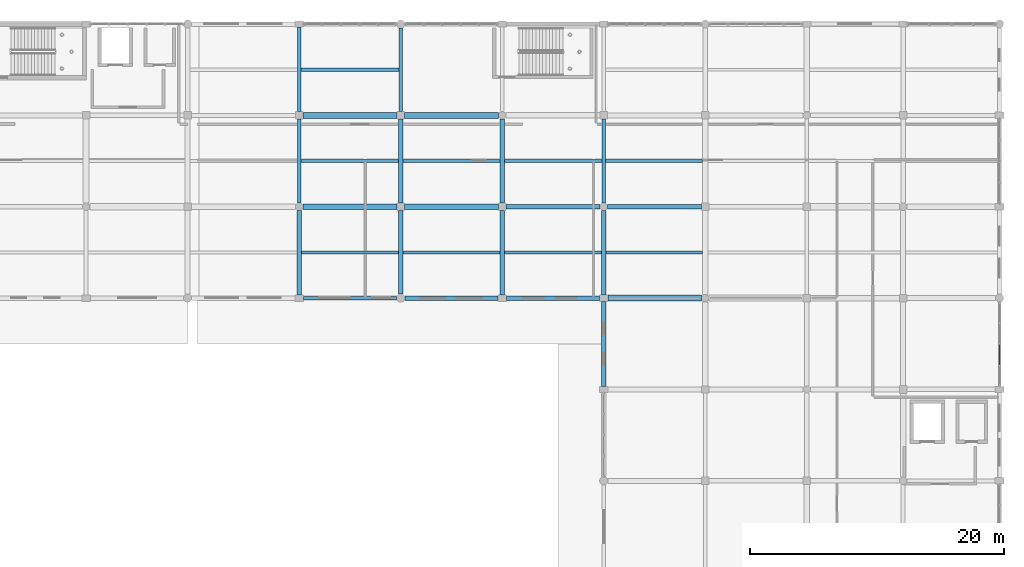
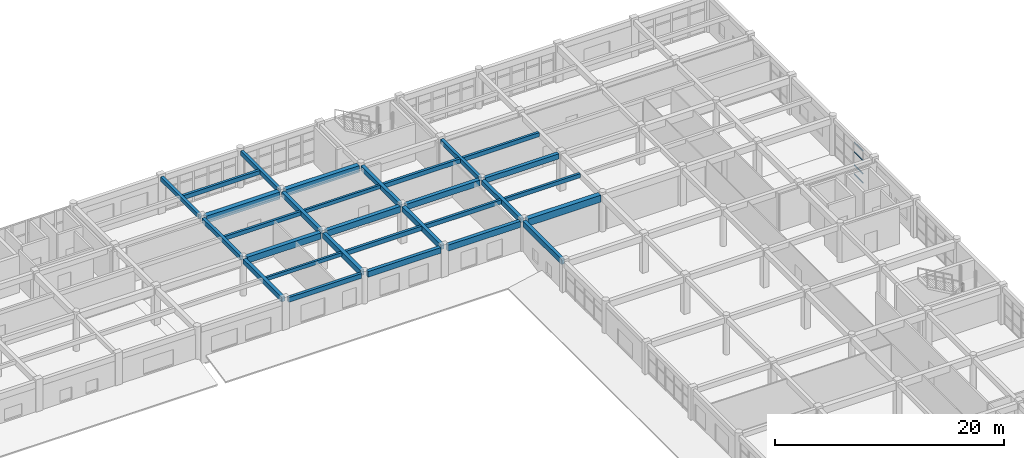
# One storey, part 82 of 121: 30 beams, 4 members, 1 element without a shape of its own.
"""IFC4 building model written with IfcOpenShell, lengths in metres."""

import ifcopenshell
import ifcopenshell.guid

model = None  # the IFC model being written
_history = None  # IfcOwnerHistory: only IFC2X3 demands one
_inside = {}  # id of a spatial element -> (the spatial element, [elements in it])
_under = {}  # id of a project, library or spatial element -> (it, [spatial elements below it])
_declared = {}  # id of a project -> (the project, [libraries it declares])
_typed = {}  # id of a type object -> (the type object, [elements of that type])
_made_of = {}  # id of a material, layer set ... -> (it, [elements and type objects made of it])


def new_model(schema):
    """Start an empty IFC model of exactly this schema.

    Asked for "IFC4X3", IfcOpenShell would pick the latest addendum, in which some entities
    have other attributes; the version numbers below select the first issue.
    IFC2X3 requires an IfcOwnerHistory on every rooted entity: one is made here for all.
    """
    global model, _history
    if schema == "IFC4X3":
        model = ifcopenshell.file(schema_version=(4, 3, 0, 0))
    else:
        model = ifcopenshell.file(schema=schema)
    _inside.clear()
    _under.clear()
    _declared.clear()
    _typed.clear()
    _made_of.clear()
    _history = None
    if model.schema == "IFC2X3":
        org = make("IfcOrganization", Name="unknown")
        user = make(
            "IfcPersonAndOrganization",
            ThePerson=make("IfcPerson", FamilyName="unknown"),
            TheOrganization=org,
        )
        app = make(
            "IfcApplication",
            ApplicationDeveloper=org,
            Version="unknown",
            ApplicationFullName="unknown",
            ApplicationIdentifier="unknown",
        )
        _history = make(
            "IfcOwnerHistory",
            OwningUser=user,
            OwningApplication=app,
            ChangeAction="ADDED",
            CreationDate=0,
        )
    return model


def make(cls, **values):
    """One entity of the class cls with the attributes given. An attribute that is None is left unset."""
    return model.create_entity(
        cls, **{name: value for name, value in values.items() if value is not None}
    )


def rooted(cls, **values):
    """An entity with a GlobalId (a new one), such as an element, a storey or a relation."""
    return make(cls, GlobalId=ifcopenshell.guid.new(), OwnerHistory=_history, **values)


def si_unit(unit_type, name, prefix=None):
    """IfcSIUnit, for example si_unit("LENGTHUNIT", "METRE", prefix="MILLI")."""
    return make("IfcSIUnit", UnitType=unit_type, Prefix=prefix, Name=name)


def assignment(units):
    """IfcUnitAssignment: the units of a project."""
    return None if units is None else make("IfcUnitAssignment", Units=units)


def point(xyz):
    """IfcCartesianPoint."""
    return None if xyz is None else make("IfcCartesianPoint", Coordinates=xyz)


def direction(xyz):
    """IfcDirection."""
    return None if xyz is None else make("IfcDirection", DirectionRatios=xyz)


def frame(location, z_axis=None, x_axis=None):
    """IfcAxis2Placement3D, a coordinate frame: its origin and axes. An axis left out is left unset."""
    return make(
        "IfcAxis2Placement3D",
        Location=point(location),
        Axis=direction(z_axis),
        RefDirection=direction(x_axis),
    )


def frame_2d(location, x_axis=None):
    """IfcAxis2Placement2D, a coordinate frame in the plane: its origin and x axis."""
    return make(
        "IfcAxis2Placement2D", Location=point(location), RefDirection=direction(x_axis)
    )


def origin():
    """The frame at (0, 0, 0) with its axes left unset."""
    return frame((0.0, 0.0, 0.0))


def origin_2d():
    """The frame at (0, 0) in the plane with its x axis left unset."""
    return frame_2d((0.0, 0.0))


def place(relative_to, where):
    """IfcLocalPlacement: puts the frame where relative to a parent placement (None: the world)."""
    return make(
        "IfcLocalPlacement", PlacementRelTo=relative_to, RelativePlacement=where
    )


def context(
    kind, dimensions, precision=None, world=None, true_north=None, identifier=None
):
    """IfcGeometricRepresentationContext, for example the 3D "Model" context."""
    return make(
        "IfcGeometricRepresentationContext",
        ContextIdentifier=identifier,
        ContextType=kind,
        CoordinateSpaceDimension=dimensions,
        Precision=precision,
        WorldCoordinateSystem=world,
        TrueNorth=true_north,
    )


def subcontext(parent, identifier, kind, view, scale=None):
    """IfcGeometricRepresentationSubContext, for example "Body" below "Model"."""
    return make(
        "IfcGeometricRepresentationSubContext",
        ContextIdentifier=identifier,
        ContextType=kind,
        ParentContext=parent,
        TargetScale=scale,
        TargetView=view,
    )


def project(units=None, contexts=None):
    """IfcProject with its units and contexts."""
    return rooted(
        "IfcProject",
        Name="project",
        RepresentationContexts=contexts,
        UnitsInContext=assignment(units),
    )


def spatial(cls, under=None, at=None, **own):
    """A site, building, storey or space (cls), placed at a placement, below another one or the project."""
    s = rooted(cls, ObjectPlacement=at, **own)
    if under is not None:
        _under.setdefault(under.id(), (under, []))[1].append(s)
    return s


def profile(cls, at=None, kind="AREA", **sizes):
    """A parametric profile (cls). Its sizes go by their IFC names, for example OverallWidth=200.0."""
    return make(cls, ProfileType=kind, Position=at, **sizes)


def rectangle(**sizes):
    """IfcRectangleProfileDef."""
    return profile("IfcRectangleProfileDef", **sizes)


def hollow_rectangle(**sizes):
    """IfcRectangleHollowProfileDef."""
    return profile("IfcRectangleHollowProfileDef", **sizes)


def extrude(swept, where, along, depth):
    """IfcExtrudedAreaSolid: the profile swept, set in the frame where, extruded along a direction by depth."""
    return make(
        "IfcExtrudedAreaSolid",
        SweptArea=swept,
        Position=where,
        ExtrudedDirection=direction(along),
        Depth=depth,
    )


def shape(context_of_items, identifier, shape_type, items):
    """IfcShapeRepresentation: the items that make up one representation, for example the "Body"."""
    return make(
        "IfcShapeRepresentation",
        ContextOfItems=context_of_items,
        RepresentationIdentifier=identifier,
        RepresentationType=shape_type,
        Items=items,
    )


def material(Name=None, Category=None):
    """IfcMaterial."""
    return make("IfcMaterial", Name=Name, Category=Category)


def material_profile(
    of_material, cross_section, Name=None, Category=None, Priority=None
):
    """IfcMaterialProfile: a cross section and its material."""
    return make(
        "IfcMaterialProfile",
        Name=Name,
        Material=of_material,
        Profile=cross_section,
        Priority=Priority,
        Category=Category,
    )


def profile_set(profiles, Name=None, composite=None):
    """IfcMaterialProfileSet."""
    return make(
        "IfcMaterialProfileSet",
        Name=Name,
        MaterialProfiles=profiles,
        CompositeProfile=composite,
    )


def made_of(thing, what):
    """Note that an element or type object is made of a material, layer set ...; save() writes the relation."""
    if what is not None:
        _made_of.setdefault(what.id(), (what, []))[1].append(thing)
    return thing


def type_object(cls, material=None, **own):
    """A type object (cls), such as IfcWallType, which elements share."""
    return made_of(rooted(cls, **own), material)


def element(
    cls,
    number,
    at=None,
    inside=None,
    cuts=None,
    type_object=None,
    material=None,
    context=None,
    identifier="Body",
    shape_type=None,
    held_by="IfcProductDefinitionShape",
    body=None,
    shapes=None,
    **own,
):
    """One element of the class cls, such as IfcWall. Its Tag is "e" and its number.

    at: its placement. inside: the storey or other place that contains it. cuts: it is an
    opening in that element (IfcRelVoidsElement). A single representation is given by context,
    identifier, shape_type and body (its items); several are given by shapes. held_by: the class
    of the entity that holds the representations. save() writes the other relations.
    """
    e = rooted(cls, Tag="e%d" % number, ObjectPlacement=at, **own)
    if body is not None:
        shapes = [shape(context, identifier, shape_type, body)]
    if shapes is not None:
        e.Representation = make(held_by, Representations=shapes)
    if inside is not None:
        _inside.setdefault(inside.id(), (inside, []))[1].append(e)
    if cuts is not None:
        rooted(
            "IfcRelVoidsElement", RelatingBuildingElement=cuts, RelatedOpeningElement=e
        )
    if type_object is not None:
        _typed.setdefault(type_object.id(), (type_object, []))[1].append(e)
    return made_of(e, material)


def aggregate(whole, parts):
    """IfcRelAggregates: a whole, such as a stair, and the parts it consists of."""
    return rooted("IfcRelAggregates", RelatingObject=whole, RelatedObjects=parts)


def save(model, path):
    """Write the relations noted so far, then the file.

    IfcRelAggregates (storeys below a building ...), IfcRelContainedInSpatialStructure (elements
    in a storey), IfcRelDefinesByType, IfcRelAssociatesMaterial and IfcRelDeclares: one each for
    every whole, place, type object, material and project.
    """
    for whole, parts in _under.values():
        aggregate(whole, parts)
    for where, things in _inside.values():
        rooted(
            "IfcRelContainedInSpatialStructure",
            RelatedElements=things,
            RelatingStructure=where,
        )
    for kind, things in _typed.values():
        rooted("IfcRelDefinesByType", RelatedObjects=things, RelatingType=kind)
    for what, things in _made_of.values():
        rooted("IfcRelAssociatesMaterial", RelatedObjects=things, RelatingMaterial=what)
    for by, libraries in _declared.values():
        rooted("IfcRelDeclares", RelatingContext=by, RelatedDefinitions=libraries)
    model.write(path)


model = new_model("IFC4")

# Units and contexts
model_context = context("Model", 3, precision=1e-05, world=origin(), true_north=direction((0.0, 1.0)))
body_context = subcontext(model_context, "Body", "Model", "MODEL_VIEW")
ifc_project = project(units=[si_unit("LENGTHUNIT", "METRE"), si_unit("AREAUNIT", "SQUARE_METRE"), si_unit("VOLUMEUNIT", "CUBIC_METRE"), si_unit("PLANEANGLEUNIT", "RADIAN"), si_unit("MASSUNIT", "GRAM", prefix="KILO")], contexts=[model_context])

# Site, building, storey
site_placement = place(None, origin())
site = spatial("IfcSite", under=ifc_project, at=site_placement, CompositionType="ELEMENT")
building_placement = place(site_placement, origin())
building = spatial("IfcBuilding", under=site, at=building_placement, Name="Kharva Crest Polytechnic", CompositionType="ELEMENT")
storey_placement = place(building_placement, frame((0.0, 0.0, 13.199951171875)))
storey = spatial("IfcBuildingStorey", under=building, at=storey_placement, Name="L03", CompositionType="ELEMENT", Elevation=13.199951171875)

# Beams
ifc_material_1 = material(Name="Concrete C35/45", Category="concrete")
ifc_material_profile_1 = material_profile(ifc_material_1, rectangle(XDim=0.300048828125, YDim=0.449951171875, at=origin_2d()), Name="RECT 300 X 450")
ifc_profile_set_1 = profile_set([ifc_material_profile_1], Name="Concrete C35/45")
beam_type_1 = type_object("IfcBeamType", Name="BM-RC-300X450", PredefinedType="BEAM", material=ifc_profile_set_1)
beam_1_placement = place(storey_placement, frame((128.800048828125, 115.10009765625, 3.735107421875), z_axis=(0.0, 1.0, 0.0), x_axis=(-1.0, 0.0, 0.0)))
element("IfcBeam", 1, at=beam_1_placement, inside=storey, type_object=beam_type_1, Name="L03 Girder 17/R-S", PredefinedType="BEAM", context=body_context, shape_type="SweptSolid", body=[
    extrude(rectangle(XDim=0.300048828125, YDim=0.449951171875, at=origin_2d()), origin(), (0.0, 0.0, 1.0), 6.64990234375),
])
ifc_material_profile_2 = material_profile(ifc_material_1, rectangle(XDim=0.300048828125, YDim=0.47998046875, at=origin_2d()), Name="RECT 300 X 480")
ifc_profile_set_2 = profile_set([ifc_material_profile_2], Name="Concrete C35/45")
beam_type_2 = type_object("IfcBeamType", Name="BM-RC-300X480", PredefinedType="BEAM", material=ifc_profile_set_2)
beam_2_placement = place(storey_placement, frame((128.800048828125, 107.889892578125, 3.719970703125), z_axis=(0.0, 1.0, 0.0), x_axis=(-1.0, 0.0, 0.0)))
element("IfcBeam", 2, at=beam_2_placement, inside=storey, type_object=beam_type_2, Name="L03 Girder 17/Q-R", PredefinedType="BEAM", context=body_context, shape_type="SweptSolid", body=[
    extrude(rectangle(XDim=0.300048828125, YDim=0.47998046875, at=origin_2d()), origin(), (0.0, 0.0, 1.0), 6.610107421875),
])
beam_3_placement = place(storey_placement, frame((136.800048828125, 115.090087890625, 3.719970703125), z_axis=(0.0, 1.0, 0.0), x_axis=(-1.0, 0.0, 0.0)))
element("IfcBeam", 3, at=beam_3_placement, inside=storey, type_object=beam_type_2, Name="L03 Girder 18/R-S", PredefinedType="BEAM", context=body_context, shape_type="SweptSolid", body=[
    extrude(rectangle(XDim=0.300048828125, YDim=0.47998046875, at=origin_2d()), origin(), (0.0, 0.0, 1.0), 6.58984375),
])
beam_4_placement = place(storey_placement, frame((152.800048828125, 107.889892578125, 3.719970703125), z_axis=(0.0, 1.0, 0.0), x_axis=(-1.0, 0.0, 0.0)))
element("IfcBeam", 4, at=beam_4_placement, inside=storey, type_object=beam_type_2, Name="L03 Girder 20/Q-R", PredefinedType="BEAM", context=body_context, shape_type="SweptSolid", body=[
    extrude(rectangle(XDim=0.300048828125, YDim=0.47998046875, at=origin_2d()), origin(), (0.0, 0.0, 1.0), 6.610107421875),
])
ifc_material_profile_3 = material_profile(ifc_material_1, rectangle(XDim=0.340087890625, YDim=0.52001953125, at=origin_2d()), Name="RECT 340 X 520")
ifc_profile_set_3 = profile_set([ifc_material_profile_3], Name="Concrete C35/45")
beam_type_3 = type_object("IfcBeamType", Name="BM-RC-340X520", PredefinedType="BEAM", material=ifc_profile_set_3)
beam_5_placement = place(storey_placement, frame((128.800048828125, 100.64990234375, 3.699951171875), z_axis=(0.0, 1.0, 0.0), x_axis=(-1.0, 0.0, 0.0)))
element("IfcBeam", 5, at=beam_5_placement, inside=storey, type_object=beam_type_3, Name="L03 Girder 17/P-Q", PredefinedType="BEAM", context=body_context, shape_type="SweptSolid", body=[
    extrude(rectangle(XDim=0.340087890625, YDim=0.52001953125, at=origin_2d()), origin(), (0.0, 0.0, 1.0), 6.66015625),
])
beam_6_placement = place(storey_placement, frame((136.800048828125, 107.89990234375, 3.699951171875), z_axis=(0.0, 1.0, 0.0), x_axis=(-1.0, 0.0, 0.0)))
element("IfcBeam", 6, at=beam_6_placement, inside=storey, type_object=beam_type_3, Name="L03 Girder 18/Q-R", PredefinedType="BEAM", context=body_context, shape_type="SweptSolid", body=[
    extrude(rectangle(XDim=0.340087890625, YDim=0.52001953125, at=origin_2d()), origin(), (0.0, 0.0, 1.0), 6.610107421875),
])
beam_7_placement = place(storey_placement, frame((144.800048828125, 107.889892578125, 3.699951171875), z_axis=(0.0, 1.0, 0.0), x_axis=(-1.0, 0.0, 0.0)))
element("IfcBeam", 7, at=beam_7_placement, inside=storey, type_object=beam_type_3, Name="L03 Girder 19/Q-R", PredefinedType="BEAM", context=body_context, shape_type="SweptSolid", body=[
    extrude(rectangle(XDim=0.340087890625, YDim=0.52001953125, at=origin_2d()), origin(), (0.0, 0.0, 1.0), 6.6201171875),
])
beam_8_placement = place(storey_placement, frame((152.800048828125, 100.64990234375, 3.699951171875), z_axis=(0.0, 1.0, 0.0), x_axis=(-1.0, 0.0, 0.0)))
element("IfcBeam", 8, at=beam_8_placement, inside=storey, type_object=beam_type_3, Name="L03 Girder 20/P-Q", PredefinedType="BEAM", context=body_context, shape_type="SweptSolid", body=[
    extrude(rectangle(XDim=0.340087890625, YDim=0.52001953125, at=origin_2d()), origin(), (0.0, 0.0, 1.0), 6.66015625),
])
ifc_material_profile_4 = material_profile(ifc_material_1, rectangle(XDim=0.35009765625, YDim=0.550048828125, at=origin_2d()), Name="RECT 350 X 550")
ifc_profile_set_4 = profile_set([ifc_material_profile_4], Name="Concrete C35/45")
beam_type_4 = type_object("IfcBeamType", Name="BM-RC-350X550", PredefinedType="BEAM", material=ifc_profile_set_4)
beam_9_placement = place(storey_placement, frame((153.090087890625, 107.60009765625, 3.68505859375), z_axis=(1.0, 0.0, 0.0), x_axis=(0.0, 1.0, 0.0)))
element("IfcBeam", 9, at=beam_9_placement, inside=storey, type_object=beam_type_4, Name="L03 Beam Q/20-21", PredefinedType="BEAM", context=body_context, shape_type="SweptSolid", body=[
    extrude(rectangle(XDim=0.35009765625, YDim=0.550048828125, at=origin_2d()), origin(), (0.0, 0.0, 1.0), 7.409912109375),
])
ifc_material_profile_5 = material_profile(ifc_material_1, rectangle(XDim=0.360107421875, YDim=0.580078125, at=origin_2d()), Name="RECT 360 X 580")
ifc_profile_set_5 = profile_set([ifc_material_profile_5], Name="Concrete C35/45")
beam_type_5 = type_object("IfcBeamType", Name="BM-RC-360X580", PredefinedType="BEAM", material=ifc_profile_set_5)
beam_10_placement = place(storey_placement, frame((136.800048828125, 100.719970703125, 3.670166015625), z_axis=(0.0, 1.0, 0.0), x_axis=(-1.0, 0.0, 0.0)))
element("IfcBeam", 10, at=beam_10_placement, inside=storey, type_object=beam_type_5, Name="L03 Girder 18/P-Q", PredefinedType="BEAM", context=body_context, shape_type="SweptSolid", body=[
    extrude(rectangle(XDim=0.360107421875, YDim=0.580078125, at=origin_2d()), origin(), (0.0, 0.0, 1.0), 6.580078125),
])
beam_11_placement = place(storey_placement, frame((144.800048828125, 100.64990234375, 3.670166015625), z_axis=(0.0, 1.0, 0.0), x_axis=(-1.0, 0.0, 0.0)))
element("IfcBeam", 11, at=beam_11_placement, inside=storey, type_object=beam_type_5, Name="L03 Girder 19/P-Q", PredefinedType="BEAM", context=body_context, shape_type="SweptSolid", body=[
    extrude(rectangle(XDim=0.360107421875, YDim=0.580078125, at=origin_2d()), origin(), (0.0, 0.0, 1.0), 6.66015625),
])
ifc_material_profile_6 = material_profile(ifc_material_1, rectangle(XDim=0.3798828125, YDim=0.60009765625, at=origin_2d()), Name="RECT 380 X 600")
ifc_profile_set_6 = profile_set([ifc_material_profile_6], Name="Concrete C35/45")
beam_type_6 = type_object("IfcBeamType", Name="BM-RC-380X600", PredefinedType="BEAM", material=ifc_profile_set_6)
beam_12_placement = place(storey_placement, frame((145.090087890625, 107.60009765625, 3.66015625), z_axis=(1.0, 0.0, 0.0), x_axis=(0.0, 1.0, 0.0)))
element("IfcBeam", 12, at=beam_12_placement, inside=storey, type_object=beam_type_6, Name="L03 Beam Q/19-20", PredefinedType="BEAM", context=body_context, shape_type="SweptSolid", body=[
    extrude(rectangle(XDim=0.3798828125, YDim=0.60009765625, at=origin_2d()), origin(), (0.0, 0.0, 1.0), 7.419921875),
])
ifc_material_profile_7 = material_profile(ifc_material_1, rectangle(XDim=0.39990234375, YDim=0.64990234375, at=origin_2d()), Name="RECT 400 X 650")
ifc_profile_set_7 = profile_set([ifc_material_profile_7], Name="Concrete C35/45")
beam_type_7 = type_object("IfcBeamType", Name="BM-RC-400X650", PredefinedType="BEAM", material=ifc_profile_set_7)
beam_13_placement = place(storey_placement, frame((137.10009765625, 107.60009765625, 3.635009765625), z_axis=(1.0, 0.0, 0.0), x_axis=(0.0, 1.0, 0.0)))
element("IfcBeam", 13, at=beam_13_placement, inside=storey, type_object=beam_type_7, Name="L03 Beam Q/18-19", PredefinedType="BEAM", context=body_context, shape_type="SweptSolid", body=[
    extrude(rectangle(XDim=0.39990234375, YDim=0.64990234375, at=origin_2d()), origin(), (0.0, 0.0, 1.0), 7.409912109375),
])
ifc_material_profile_8 = material_profile(ifc_material_1, rectangle(XDim=0.419921875, YDim=0.659912109375, at=origin_2d()), Name="RECT 420 X 660")
ifc_profile_set_8 = profile_set([ifc_material_profile_8], Name="Concrete C35/45")
beam_type_8 = type_object("IfcBeamType", Name="BM-RC-420X660", PredefinedType="BEAM", material=ifc_profile_set_8)
beam_14_placement = place(storey_placement, frame((129.090087890625, 107.60009765625, 3.630126953125), z_axis=(1.0, 0.0, 0.0), x_axis=(0.0, 1.0, 0.0)))
element("IfcBeam", 14, at=beam_14_placement, inside=storey, type_object=beam_type_8, Name="L03 Beam Q/17-18", PredefinedType="BEAM", context=body_context, shape_type="SweptSolid", body=[
    extrude(rectangle(XDim=0.419921875, YDim=0.659912109375, at=origin_2d()), origin(), (0.0, 0.0, 1.0), 7.409912109375),
])
ifc_material_profile_9 = material_profile(ifc_material_1, rectangle(XDim=0.449951171875, YDim=0.719970703125, at=origin_2d()), Name="RECT 450 X 720")
ifc_profile_set_9 = profile_set([ifc_material_profile_9], Name="Concrete C35/45")
beam_type_9 = type_object("IfcBeamType", Name="BM-RC-450X720", PredefinedType="BEAM", material=ifc_profile_set_9)
beam_15_placement = place(storey_placement, frame((137.090087890625, 114.800048828125, 3.60009765625), z_axis=(1.0, 0.0, 0.0), x_axis=(0.0, 1.0, 0.0)))
element("IfcBeam", 15, at=beam_15_placement, inside=storey, type_object=beam_type_9, Name="L03 Beam R/18-19", PredefinedType="BEAM", context=body_context, shape_type="SweptSolid", body=[
    extrude(rectangle(XDim=0.449951171875, YDim=0.719970703125, at=origin_2d()), origin(), (0.0, 0.0, 1.0), 7.419921875),
])
ifc_material_profile_10 = material_profile(ifc_material_1, rectangle(XDim=0.47998046875, YDim=0.75, at=origin_2d()), Name="RECT 480 X 750")
ifc_profile_set_10 = profile_set([ifc_material_profile_10], Name="Concrete C35/45")
beam_type_10 = type_object("IfcBeamType", Name="BM-RC-480X750", PredefinedType="BEAM", material=ifc_profile_set_10)
beam_16_placement = place(storey_placement, frame((153.139892578125, 100.39990234375, 3.5849609375), z_axis=(1.0, 0.0, 0.0), x_axis=(0.0, 1.0, 0.0)))
element("IfcBeam", 16, at=beam_16_placement, inside=storey, type_object=beam_type_10, Name="L03 Beam P/20-21", PredefinedType="BEAM", context=body_context, shape_type="SweptSolid", body=[
    extrude(rectangle(XDim=0.47998046875, YDim=0.75, at=origin_2d()), origin(), (0.0, 0.0, 1.0), 7.3701171875),
])
beam_17_placement = place(storey_placement, frame((129.10009765625, 114.800048828125, 3.5849609375), z_axis=(1.0, 0.0, 0.0), x_axis=(0.0, 1.0, 0.0)))
element("IfcBeam", 17, at=beam_17_placement, inside=storey, type_object=beam_type_10, Name="L03 Beam R/17-18", PredefinedType="BEAM", context=body_context, shape_type="SweptSolid", body=[
    extrude(rectangle(XDim=0.47998046875, YDim=0.75, at=origin_2d()), origin(), (0.0, 0.0, 1.0), 7.409912109375),
])

# Curtain wall, members
ifc_material_2 = material(Name="Tempered insulated glass", Category="glass")
curtain_wall_type = type_object("IfcCurtainWallType", Name="CW-SYS-COURT", PredefinedType="USERDEFINED", material=ifc_material_2)
curtain_wall_placement = place(storey_placement, origin())
curtain_wall = element("IfcCurtainWall", 18, at=curtain_wall_placement, inside=storey, type_object=curtain_wall_type, Name="L03 Glazed Curtain Wall CW-152", ObjectType="CURTAIN WALL", PredefinedType="USERDEFINED")
ifc_material_3 = material(Name="Steel S355", Category="steel")
ifc_material_profile_11 = material_profile(ifc_material_3, hollow_rectangle(XDim=0.06005859375, YDim=0.1201171875, WallThickness=0.00390625, at=origin_2d()), Name="RHS 120X60X4.0")
ifc_profile_set_11 = profile_set([ifc_material_profile_11], Name="Steel S355")
member_type = type_object("IfcMemberType", Name="CWT-RHS120X60", PredefinedType="USERDEFINED", material=ifc_profile_set_11)
member_1_placement = place(storey_placement, frame((184.0, 95.14990234375, 0.06005859375), z_axis=(0.0, 1.0, 0.0), x_axis=(-1.0, 0.0, 0.0)))
member_1 = element("IfcMember", 19, at=member_1_placement, type_object=member_type, Name="CW-152 transom 2.1", ObjectType="TRANSOM", PredefinedType="USERDEFINED", context=body_context, shape_type="SweptSolid", body=[
    extrude(hollow_rectangle(XDim=0.06005859375, YDim=0.1201171875, WallThickness=0.00390625, at=origin_2d()), origin(), (0.0, 0.0, 1.0), 1.5751953125),
])
member_2_placement = place(storey_placement, frame((184.0, 95.14990234375, 1.050048828125), z_axis=(0.0, 1.0, 0.0), x_axis=(-1.0, 0.0, 0.0)))
member_2 = element("IfcMember", 20, at=member_2_placement, type_object=member_type, Name="CW-152 transom 2.2", ObjectType="TRANSOM", PredefinedType="USERDEFINED", context=body_context, shape_type="SweptSolid", body=[
    extrude(hollow_rectangle(XDim=0.06005859375, YDim=0.1201171875, WallThickness=0.00390625, at=origin_2d()), origin(), (0.0, 0.0, 1.0), 1.5751953125),
])
member_3_placement = place(storey_placement, frame((184.0, 95.14990234375, 2.449951171875), z_axis=(0.0, 1.0, 0.0), x_axis=(-1.0, 0.0, 0.0)))
member_3 = element("IfcMember", 21, at=member_3_placement, type_object=member_type, Name="CW-152 transom 2.3", ObjectType="TRANSOM", PredefinedType="USERDEFINED", context=body_context, shape_type="SweptSolid", body=[
    extrude(hollow_rectangle(XDim=0.06005859375, YDim=0.1201171875, WallThickness=0.00390625, at=origin_2d()), origin(), (0.0, 0.0, 1.0), 1.5751953125),
])
member_4_placement = place(storey_placement, frame((184.0, 95.14990234375, 3.4599609375), z_axis=(0.0, 1.0, 0.0), x_axis=(-1.0, 0.0, 0.0)))
member_4 = element("IfcMember", 22, at=member_4_placement, type_object=member_type, Name="CW-152 transom 2.4", ObjectType="TRANSOM", PredefinedType="USERDEFINED", context=body_context, shape_type="SweptSolid", body=[
    extrude(hollow_rectangle(XDim=0.06005859375, YDim=0.1201171875, WallThickness=0.00390625, at=origin_2d()), origin(), (0.0, 0.0, 1.0), 1.5751953125),
])
aggregate(curtain_wall, [member_1, member_2, member_3, member_4])

# Beams
ifc_material_profile_12 = material_profile(ifc_material_1, rectangle(XDim=0.219970703125, YDim=0.3798828125, at=origin_2d()), Name="RECT 220 X 380")
ifc_profile_set_12 = profile_set([ifc_material_profile_12], Name="Concrete C35/45")
beam_type_11 = type_object("IfcBeamType", Name="JS-RC-220X380", PredefinedType="JOIST", material=ifc_profile_set_12)
beam_18_placement = place(storey_placement, frame((128.969970703125, 104.0, 3.77001953125), z_axis=(1.0, 0.0, 0.0), x_axis=(0.0, 1.0, 0.0)))
element("IfcBeam", 23, at=beam_18_placement, inside=storey, type_object=beam_type_11, Name="L03 Floor Joist 27", PredefinedType="JOIST", context=body_context, shape_type="SweptSolid", body=[
    extrude(rectangle(XDim=0.219970703125, YDim=0.3798828125, at=origin_2d()), origin(), (0.0, 0.0, 1.0), 7.650146484375),
])
beam_19_placement = place(storey_placement, frame((136.969970703125, 111.199951171875, 3.77001953125), z_axis=(1.0, 0.0, 0.0), x_axis=(0.0, 1.0, 0.0)))
element("IfcBeam", 24, at=beam_19_placement, inside=storey, type_object=beam_type_11, Name="L03 Floor Joist 47", PredefinedType="JOIST", context=body_context, shape_type="SweptSolid", body=[
    extrude(rectangle(XDim=0.219970703125, YDim=0.3798828125, at=origin_2d()), origin(), (0.0, 0.0, 1.0), 7.659912109375),
])
ifc_material_profile_13 = material_profile(ifc_material_1, rectangle(XDim=0.239990234375, YDim=0.419921875, at=origin_2d()), Name="RECT 240 X 420")
ifc_profile_set_13 = profile_set([ifc_material_profile_13], Name="Concrete C35/45")
beam_type_12 = type_object("IfcBeamType", Name="JS-RC-240X420", PredefinedType="JOIST", material=ifc_profile_set_13)
beam_20_placement = place(storey_placement, frame((152.969970703125, 104.0, 3.75), z_axis=(1.0, 0.0, 0.0), x_axis=(0.0, 1.0, 0.0)))
element("IfcBeam", 25, at=beam_20_placement, inside=storey, type_object=beam_type_12, Name="L03 Floor Joist 30", PredefinedType="JOIST", context=body_context, shape_type="SweptSolid", body=[
    extrude(rectangle(XDim=0.239990234375, YDim=0.419921875, at=origin_2d()), origin(), (0.0, 0.0, 1.0), 7.630126953125),
])
beam_21_placement = place(storey_placement, frame((128.949951171875, 111.199951171875, 3.75), z_axis=(1.0, 0.0, 0.0), x_axis=(0.0, 1.0, 0.0)))
element("IfcBeam", 26, at=beam_21_placement, inside=storey, type_object=beam_type_12, Name="L03 Floor Joist 46", PredefinedType="JOIST", context=body_context, shape_type="SweptSolid", body=[
    extrude(rectangle(XDim=0.239990234375, YDim=0.419921875, at=origin_2d()), origin(), (0.0, 0.0, 1.0), 7.679931640625),
])
ifc_material_profile_14 = material_profile(ifc_material_1, rectangle(XDim=0.25, YDim=0.43994140625, at=origin_2d()), Name="RECT 250 X 440")
ifc_profile_set_14 = profile_set([ifc_material_profile_14], Name="Concrete C35/45")
beam_type_13 = type_object("IfcBeamType", Name="JS-RC-250X440", PredefinedType="JOIST", material=ifc_profile_set_14)
beam_22_placement = place(storey_placement, frame((144.97998046875, 104.0, 3.739990234375), z_axis=(1.0, 0.0, 0.0), x_axis=(0.0, 1.0, 0.0)))
element("IfcBeam", 27, at=beam_22_placement, inside=storey, type_object=beam_type_13, Name="L03 Floor Joist 29", PredefinedType="JOIST", context=body_context, shape_type="SweptSolid", body=[
    extrude(rectangle(XDim=0.25, YDim=0.43994140625, at=origin_2d()), origin(), (0.0, 0.0, 1.0), 7.64990234375),
])
beam_23_placement = place(storey_placement, frame((152.949951171875, 111.199951171875, 3.739990234375), z_axis=(1.0, 0.0, 0.0), x_axis=(0.0, 1.0, 0.0)))
element("IfcBeam", 28, at=beam_23_placement, inside=storey, type_object=beam_type_13, Name="L03 Floor Joist 49", PredefinedType="JOIST", context=body_context, shape_type="SweptSolid", body=[
    extrude(rectangle(XDim=0.25, YDim=0.43994140625, at=origin_2d()), origin(), (0.0, 0.0, 1.0), 7.650146484375),
])
beam_24_placement = place(storey_placement, frame((128.949951171875, 118.39990234375, 3.739990234375), z_axis=(1.0, 0.0, 0.0), x_axis=(0.0, 1.0, 0.0)))
element("IfcBeam", 29, at=beam_24_placement, inside=storey, type_object=beam_type_13, Name="L03 Floor Joist 57", PredefinedType="JOIST", context=body_context, shape_type="SweptSolid", body=[
    extrude(rectangle(XDim=0.25, YDim=0.43994140625, at=origin_2d()), origin(), (0.0, 0.0, 1.0), 7.699951171875),
])
ifc_material_profile_15 = material_profile(ifc_material_1, rectangle(XDim=0.260009765625, YDim=0.4599609375, at=origin_2d()), Name="RECT 260 X 460")
ifc_profile_set_15 = profile_set([ifc_material_profile_15], Name="Concrete C35/45")
beam_type_14 = type_object("IfcBeamType", Name="JS-RC-260X460", PredefinedType="JOIST", material=ifc_profile_set_15)
beam_25_placement = place(storey_placement, frame((136.97998046875, 104.0, 3.72998046875), z_axis=(1.0, 0.0, 0.0), x_axis=(0.0, 1.0, 0.0)))
element("IfcBeam", 30, at=beam_25_placement, inside=storey, type_object=beam_type_14, Name="L03 Floor Joist 28", PredefinedType="JOIST", context=body_context, shape_type="SweptSolid", body=[
    extrude(rectangle(XDim=0.260009765625, YDim=0.4599609375, at=origin_2d()), origin(), (0.0, 0.0, 1.0), 7.64013671875),
])
beam_26_placement = place(storey_placement, frame((144.969970703125, 111.199951171875, 3.72998046875), z_axis=(1.0, 0.0, 0.0), x_axis=(0.0, 1.0, 0.0)))
element("IfcBeam", 31, at=beam_26_placement, inside=storey, type_object=beam_type_14, Name="L03 Floor Joist 48", PredefinedType="JOIST", context=body_context, shape_type="SweptSolid", body=[
    extrude(rectangle(XDim=0.260009765625, YDim=0.4599609375, at=origin_2d()), origin(), (0.0, 0.0, 1.0), 7.679931640625),
])
ifc_material_profile_16 = material_profile(ifc_material_1, rectangle(XDim=0.280029296875, YDim=0.5, at=origin_2d()), Name="RECT 280 X 500")
ifc_profile_set_16 = profile_set([ifc_material_profile_16], Name="Concrete C35/45")
beam_type_15 = type_object("IfcBeamType", Name="SP-RC-280X500", PredefinedType="SPANDREL", material=ifc_profile_set_16)
beam_27_placement = place(storey_placement, frame((129.139892578125, 100.39990234375, 3.7099609375), z_axis=(1.0, 0.0, 0.0), x_axis=(0.0, 1.0, 0.0)))
element("IfcBeam", 32, at=beam_27_placement, inside=storey, type_object=beam_type_15, Name="L03 Beam P/17-18", PredefinedType="SPANDREL", context=body_context, shape_type="SweptSolid", body=[
    extrude(rectangle(XDim=0.280029296875, YDim=0.5, at=origin_2d()), origin(), (0.0, 0.0, 1.0), 7.340087890625),
])
ifc_material_profile_17 = material_profile(ifc_material_1, rectangle(XDim=0.320068359375, YDim=0.580078125, at=origin_2d()), Name="RECT 320 X 580")
ifc_profile_set_17 = profile_set([ifc_material_profile_17], Name="Concrete C35/45")
beam_type_16 = type_object("IfcBeamType", Name="SP-RC-320X580", PredefinedType="SPANDREL", material=ifc_profile_set_17)
beam_28_placement = place(storey_placement, frame((152.800048828125, 93.449951171875, 3.670166015625), z_axis=(0.0, 1.0, 0.0), x_axis=(-1.0, 0.0, 0.0)))
element("IfcBeam", 33, at=beam_28_placement, inside=storey, type_object=beam_type_16, Name="L03 Girder 20/N-P", PredefinedType="SPANDREL", context=body_context, shape_type="SweptSolid", body=[
    extrude(rectangle(XDim=0.320068359375, YDim=0.580078125, at=origin_2d()), origin(), (0.0, 0.0, 1.0), 6.699951171875),
])
ifc_material_profile_18 = material_profile(ifc_material_1, rectangle(XDim=0.340087890625, YDim=0.60009765625, at=origin_2d()), Name="RECT 340 X 600")
ifc_profile_set_18 = profile_set([ifc_material_profile_18], Name="Concrete C35/45")
beam_type_17 = type_object("IfcBeamType", Name="SP-RC-340X600", PredefinedType="SPANDREL", material=ifc_profile_set_18)
beam_29_placement = place(storey_placement, frame((137.1201171875, 100.39990234375, 3.66015625), z_axis=(1.0, 0.0, 0.0), x_axis=(0.0, 1.0, 0.0)))
element("IfcBeam", 34, at=beam_29_placement, inside=storey, type_object=beam_type_17, Name="L03 Beam P/18-19", PredefinedType="SPANDREL", context=body_context, shape_type="SweptSolid", body=[
    extrude(rectangle(XDim=0.340087890625, YDim=0.60009765625, at=origin_2d()), origin(), (0.0, 0.0, 1.0), 7.329833984375),
])
ifc_material_profile_19 = material_profile(ifc_material_1, rectangle(XDim=0.360107421875, YDim=0.64990234375, at=origin_2d()), Name="RECT 360 X 650")
ifc_profile_set_19 = profile_set([ifc_material_profile_19], Name="Concrete C35/45")
beam_type_18 = type_object("IfcBeamType", Name="SP-RC-360X650", PredefinedType="SPANDREL", material=ifc_profile_set_19)
beam_30_placement = place(storey_placement, frame((145.14990234375, 100.39990234375, 3.635009765625), z_axis=(1.0, 0.0, 0.0), x_axis=(0.0, 1.0, 0.0)))
element("IfcBeam", 35, at=beam_30_placement, inside=storey, type_object=beam_type_18, Name="L03 Beam P/19-20", PredefinedType="SPANDREL", context=body_context, shape_type="SweptSolid", body=[
    extrude(rectangle(XDim=0.360107421875, YDim=0.64990234375, at=origin_2d()), origin(), (0.0, 0.0, 1.0), 7.31005859375),
])

save(model, "model.ifc")
